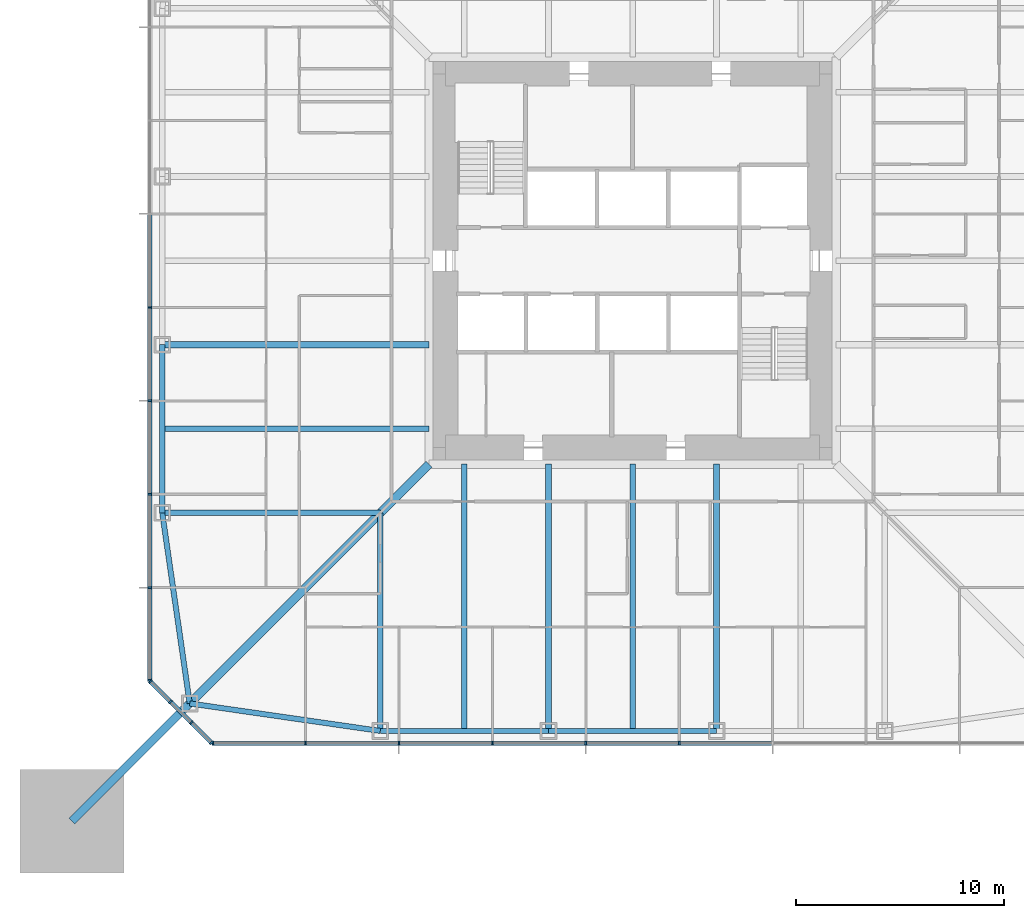
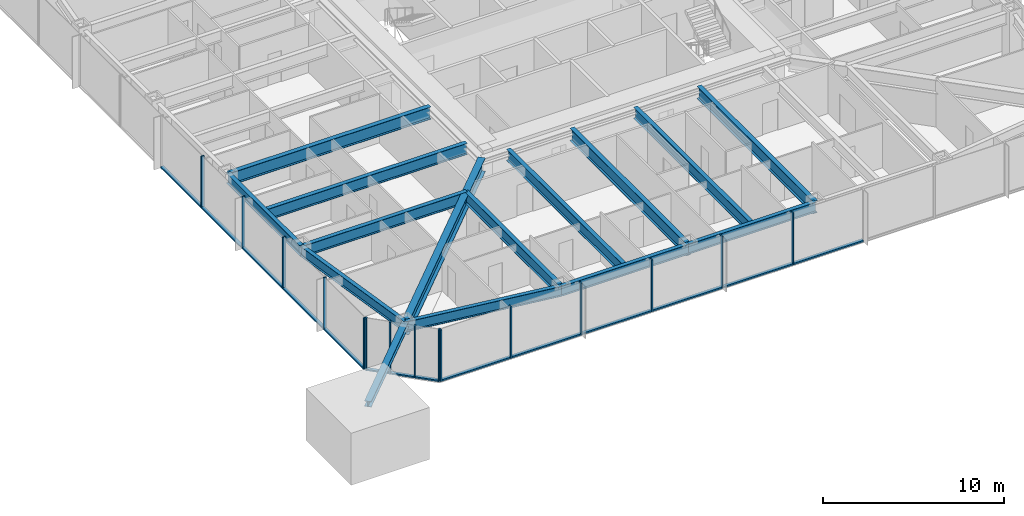
# One storey, part 3 of 26: 30 members, 14 beams, 3 elements without a shape of their own.
"""IFC4 building model written with IfcOpenShell, lengths in metres."""

from ifc_helpers import new_model, si_unit, direction, frame, origin, origin_2d, place, context, subcontext, project, spatial, rectangle, i_section, extrude, material, material_profile, profile_set, type_object, element, aggregate, save


model = new_model("IFC4")

# Units and contexts
model_context = context("Model", 3, precision=1e-05, world=origin(), true_north=direction((0.0, 1.0)))
body_context = subcontext(model_context, "Body", "Model", "MODEL_VIEW")
ifc_project = project(units=[si_unit("LENGTHUNIT", "METRE"), si_unit("AREAUNIT", "SQUARE_METRE"), si_unit("VOLUMEUNIT", "CUBIC_METRE"), si_unit("PLANEANGLEUNIT", "RADIAN"), si_unit("MASSUNIT", "GRAM", prefix="KILO")], contexts=[model_context])

# Site, building, storey
site_placement = place(None, origin())
site = spatial("IfcSite", under=ifc_project, at=site_placement, CompositionType="ELEMENT")
building_placement = place(site_placement, origin())
building = spatial("IfcBuilding", under=site, at=building_placement, Name="Iwan Alto Co-Living Towers", CompositionType="ELEMENT")
storey_placement = place(building_placement, frame((0.0, 0.0, 39.5)))
storey = spatial("IfcBuildingStorey", under=building, at=storey_placement, Name="L10", CompositionType="ELEMENT", Elevation=39.5)

# Curtain wall, members
ifc_material_1 = material(Name="Bronze aluminium unitised frame", Category="aluminium")
curtain_wall_type_1 = type_object("IfcCurtainWallType", Name="CURTAIN WALL CW-A", PredefinedType="NOTDEFINED", material=ifc_material_1)
curtain_wall_1_placement = place(storey_placement, origin())
curtain_wall_1 = element("IfcCurtainWall", 1, at=curtain_wall_1_placement, inside=storey, type_object=curtain_wall_type_1, Name="T1 curtain wall S L10", PredefinedType="NOTDEFINED")
ifc_material_2 = material(Name="Aluminium 6063-T6 bronze anodised", Category="aluminium")
ifc_material_profile_1 = material_profile(ifc_material_2, rectangle(XDim=0.199951171875, YDim=0.080078125, at=origin_2d()), Name="AL 80X200")
ifc_profile_set_1 = profile_set([ifc_material_profile_1], Name="Aluminium 6063-T6 bronze anodised")
member_type_1 = type_object("IfcMemberType", Name="CW-A MULLION 80X200", PredefinedType="MULLION", material=ifc_profile_set_1)
member_1_placement = place(storey_placement, frame((-20.2099609375, -23.25, 0.0), z_axis=(0.0, 0.0, 1.0), x_axis=(0.0, 1.0, 0.0)))
member_1 = element("IfcMember", 2, at=member_1_placement, type_object=member_type_1, Name="CW-A mullion 1", PredefinedType="MULLION", context=body_context, shape_type="SweptSolid", body=[
    extrude(rectangle(XDim=0.199951171875, YDim=0.080078125, at=origin_2d()), origin(), (0.0, 0.0, 1.0), 3.5),
])
member_2_placement = place(storey_placement, frame((-15.75, -23.25, 0.0), z_axis=(0.0, 0.0, 1.0), x_axis=(0.0, 1.0, 0.0)))
member_2 = element("IfcMember", 3, at=member_2_placement, type_object=member_type_1, Name="CW-A mullion 2", PredefinedType="MULLION", context=body_context, shape_type="SweptSolid", body=[
    extrude(rectangle(XDim=0.199951171875, YDim=0.080078125, at=origin_2d()), origin(), (0.0, 0.0, 1.0), 3.5),
])
member_3_placement = place(storey_placement, frame((-11.25, -23.25, 0.0), z_axis=(0.0, 0.0, 1.0), x_axis=(0.0, 1.0, 0.0)))
member_3 = element("IfcMember", 4, at=member_3_placement, type_object=member_type_1, Name="CW-A mullion 3", PredefinedType="MULLION", context=body_context, shape_type="SweptSolid", body=[
    extrude(rectangle(XDim=0.199951171875, YDim=0.080078125, at=origin_2d()), origin(), (0.0, 0.0, 1.0), 3.5),
])
member_4_placement = place(storey_placement, frame((-6.75, -23.25, 0.0), z_axis=(0.0, 0.0, 1.0), x_axis=(0.0, 1.0, 0.0)))
member_4 = element("IfcMember", 5, at=member_4_placement, type_object=member_type_1, Name="CW-A mullion 4", PredefinedType="MULLION", context=body_context, shape_type="SweptSolid", body=[
    extrude(rectangle(XDim=0.199951171875, YDim=0.080078125, at=origin_2d()), origin(), (0.0, 0.0, 1.0), 3.5),
])
member_5_placement = place(storey_placement, frame((-2.25, -23.25, 0.0), z_axis=(0.0, 0.0, 1.0), x_axis=(0.0, 1.0, 0.0)))
member_5 = element("IfcMember", 6, at=member_5_placement, type_object=member_type_1, Name="CW-A mullion 5", PredefinedType="MULLION", context=body_context, shape_type="SweptSolid", body=[
    extrude(rectangle(XDim=0.199951171875, YDim=0.080078125, at=origin_2d()), origin(), (0.0, 0.0, 1.0), 3.5),
])
member_6_placement = place(storey_placement, frame((2.25, -23.25, 0.0), z_axis=(0.0, 0.0, 1.0), x_axis=(0.0, 1.0, 0.0)))
member_6 = element("IfcMember", 7, at=member_6_placement, type_object=member_type_1, Name="CW-A mullion 6", PredefinedType="MULLION", context=body_context, shape_type="SweptSolid", body=[
    extrude(rectangle(XDim=0.199951171875, YDim=0.080078125, at=origin_2d()), origin(), (0.0, 0.0, 1.0), 3.5),
])

curtain_wall_2_placement = place(storey_placement, origin())
curtain_wall_2 = element("IfcCurtainWall", 8, at=curtain_wall_2_placement, inside=storey, type_object=curtain_wall_type_1, Name="T1 curtain wall W L10", PredefinedType="NOTDEFINED")
member_7_placement = place(storey_placement, frame((-23.25, -2.25, 0.0), z_axis=(0.0, 0.0, 1.0), x_axis=(1.0, 0.0, 0.0)))
member_7 = element("IfcMember", 9, at=member_7_placement, type_object=member_type_1, Name="CW-A mullion 6", PredefinedType="MULLION", context=body_context, shape_type="SweptSolid", body=[
    extrude(rectangle(XDim=0.199951171875, YDim=0.080078125, at=origin_2d()), origin(), (0.0, 0.0, 1.0), 3.5),
])
member_8_placement = place(storey_placement, frame((-23.25, -6.75, 0.0), z_axis=(0.0, 0.0, 1.0), x_axis=(1.0, 0.0, 0.0)))
member_8 = element("IfcMember", 10, at=member_8_placement, type_object=member_type_1, Name="CW-A mullion 7", PredefinedType="MULLION", context=body_context, shape_type="SweptSolid", body=[
    extrude(rectangle(XDim=0.199951171875, YDim=0.080078125, at=origin_2d()), origin(), (0.0, 0.0, 1.0), 3.5),
])
member_9_placement = place(storey_placement, frame((-23.25, -11.25, 0.0), z_axis=(0.0, 0.0, 1.0), x_axis=(1.0, 0.0, 0.0)))
member_9 = element("IfcMember", 11, at=member_9_placement, type_object=member_type_1, Name="CW-A mullion 8", PredefinedType="MULLION", context=body_context, shape_type="SweptSolid", body=[
    extrude(rectangle(XDim=0.199951171875, YDim=0.080078125, at=origin_2d()), origin(), (0.0, 0.0, 1.0), 3.5),
])
member_10_placement = place(storey_placement, frame((-23.25, -15.75, 0.0), z_axis=(0.0, 0.0, 1.0), x_axis=(1.0, 0.0, 0.0)))
member_10 = element("IfcMember", 12, at=member_10_placement, type_object=member_type_1, Name="CW-A mullion 9", PredefinedType="MULLION", context=body_context, shape_type="SweptSolid", body=[
    extrude(rectangle(XDim=0.199951171875, YDim=0.080078125, at=origin_2d()), origin(), (0.0, 0.0, 1.0), 3.5),
])
member_11_placement = place(storey_placement, frame((-23.25, -20.2099609375, 0.0), z_axis=(0.0, 0.0, 1.0), x_axis=(1.0, 0.0, 0.0)))
member_11 = element("IfcMember", 13, at=member_11_placement, type_object=member_type_1, Name="CW-A mullion 10", PredefinedType="MULLION", context=body_context, shape_type="SweptSolid", body=[
    extrude(rectangle(XDim=0.199951171875, YDim=0.080078125, at=origin_2d()), origin(), (0.0, 0.0, 1.0), 3.5),
])

# Member
ifc_material_3 = material(Name="Aluminium 6063-T6 bronze anodised", Category="aluminium")
ifc_material_profile_2 = material_profile(ifc_material_3, rectangle(XDim=0.199951171875, YDim=0.10009765625, at=origin_2d()), Name="AL 200X100")
ifc_profile_set_2 = profile_set([ifc_material_profile_2], Name="Aluminium 6063-T6 bronze anodised")
member_type_2 = type_object("IfcMemberType", Name="CW-A TRANSOM 200X100", PredefinedType="USERDEFINED", material=ifc_profile_set_2)
member_12_placement = place(storey_placement, frame((-20.169921875, -23.25, 0.050048828125), z_axis=(1.0, 0.0, 0.0), x_axis=(0.0, 1.0, 0.0)))
member_12 = element("IfcMember", 14, at=member_12_placement, type_object=member_type_2, Name="CW-A transom 1.1", ObjectType="TRANSOM", PredefinedType="USERDEFINED", context=body_context, shape_type="SweptSolid", body=[
    extrude(rectangle(XDim=0.199951171875, YDim=0.10009765625, at=origin_2d()), origin(), (0.0, 0.0, 1.0), 4.3798828125),
])

member_13_placement = place(storey_placement, frame((-15.7099609375, -23.25, 0.050048828125), z_axis=(1.0, 0.0, 0.0), x_axis=(0.0, 1.0, 0.0)))
member_13 = element("IfcMember", 15, at=member_13_placement, type_object=member_type_2, Name="CW-A transom 2.1", ObjectType="TRANSOM", PredefinedType="USERDEFINED", context=body_context, shape_type="SweptSolid", body=[
    extrude(rectangle(XDim=0.199951171875, YDim=0.10009765625, at=origin_2d()), origin(), (0.0, 0.0, 1.0), 4.419921875),
])

member_14_placement = place(storey_placement, frame((-11.2099609375, -23.25, 0.050048828125), z_axis=(1.0, 0.0, 0.0), x_axis=(0.0, 1.0, 0.0)))
member_14 = element("IfcMember", 16, at=member_14_placement, type_object=member_type_2, Name="CW-A transom 3.1", ObjectType="TRANSOM", PredefinedType="USERDEFINED", context=body_context, shape_type="SweptSolid", body=[
    extrude(rectangle(XDim=0.199951171875, YDim=0.10009765625, at=origin_2d()), origin(), (0.0, 0.0, 1.0), 4.419921875),
])

member_15_placement = place(storey_placement, frame((-6.7099609375, -23.25, 0.050048828125), z_axis=(1.0, 0.0, 0.0), x_axis=(0.0, 1.0, 0.0)))
member_15 = element("IfcMember", 17, at=member_15_placement, type_object=member_type_2, Name="CW-A transom 4.1", ObjectType="TRANSOM", PredefinedType="USERDEFINED", context=body_context, shape_type="SweptSolid", body=[
    extrude(rectangle(XDim=0.199951171875, YDim=0.10009765625, at=origin_2d()), origin(), (0.0, 0.0, 1.0), 4.419921875),
])

member_16_placement = place(storey_placement, frame((-2.2099609375, -23.25, 0.050048828125), z_axis=(1.0, 0.0, 0.0), x_axis=(0.0, 1.0, 0.0)))
member_16 = element("IfcMember", 18, at=member_16_placement, type_object=member_type_2, Name="CW-A transom 5.1", ObjectType="TRANSOM", PredefinedType="USERDEFINED", context=body_context, shape_type="SweptSolid", body=[
    extrude(rectangle(XDim=0.199951171875, YDim=0.10009765625, at=origin_2d()), origin(), (0.0, 0.0, 1.0), 4.419921875),
])

member_17_placement = place(storey_placement, frame((2.2900390625, -23.25, 0.050048828125), z_axis=(1.0, 0.0, 0.0), x_axis=(0.0, 1.0, 0.0)))
member_17 = element("IfcMember", 19, at=member_17_placement, type_object=member_type_2, Name="CW-A transom 6.1", ObjectType="TRANSOM", PredefinedType="USERDEFINED", context=body_context, shape_type="SweptSolid", body=[
    extrude(rectangle(XDim=0.199951171875, YDim=0.10009765625, at=origin_2d()), origin(), (0.0, 0.0, 1.0), 4.419921875),
])

aggregate(curtain_wall_1, [member_1, member_2, member_3, member_4, member_5, member_6, member_12, member_13, member_14, member_15, member_16, member_17])

member_18_placement = place(storey_placement, frame((-23.25, 2.2099609375, 0.050048828125), z_axis=(0.0, -1.0, 0.0), x_axis=(1.0, 0.0, 0.0)))
member_18 = element("IfcMember", 20, at=member_18_placement, type_object=member_type_2, Name="CW-A transom 5.1", ObjectType="TRANSOM", PredefinedType="USERDEFINED", context=body_context, shape_type="SweptSolid", body=[
    extrude(rectangle(XDim=0.199951171875, YDim=0.10009765625, at=origin_2d()), origin(), (0.0, 0.0, 1.0), 4.419921875),
])

member_19_placement = place(storey_placement, frame((-23.25, -2.2900390625, 0.050048828125), z_axis=(0.0, -1.0, 0.0), x_axis=(1.0, 0.0, 0.0)))
member_19 = element("IfcMember", 21, at=member_19_placement, type_object=member_type_2, Name="CW-A transom 6.1", ObjectType="TRANSOM", PredefinedType="USERDEFINED", context=body_context, shape_type="SweptSolid", body=[
    extrude(rectangle(XDim=0.199951171875, YDim=0.10009765625, at=origin_2d()), origin(), (0.0, 0.0, 1.0), 4.419921875),
])

member_20_placement = place(storey_placement, frame((-23.25, -6.7900390625, 0.050048828125), z_axis=(0.0, -1.0, 0.0), x_axis=(1.0, 0.0, 0.0)))
member_20 = element("IfcMember", 22, at=member_20_placement, type_object=member_type_2, Name="CW-A transom 7.1", ObjectType="TRANSOM", PredefinedType="USERDEFINED", context=body_context, shape_type="SweptSolid", body=[
    extrude(rectangle(XDim=0.199951171875, YDim=0.10009765625, at=origin_2d()), origin(), (0.0, 0.0, 1.0), 4.419921875),
])

member_21_placement = place(storey_placement, frame((-23.25, -11.2900390625, 0.050048828125), z_axis=(0.0, -1.0, 0.0), x_axis=(1.0, 0.0, 0.0)))
member_21 = element("IfcMember", 23, at=member_21_placement, type_object=member_type_2, Name="CW-A transom 8.1", ObjectType="TRANSOM", PredefinedType="USERDEFINED", context=body_context, shape_type="SweptSolid", body=[
    extrude(rectangle(XDim=0.199951171875, YDim=0.10009765625, at=origin_2d()), origin(), (0.0, 0.0, 1.0), 4.419921875),
])

member_22_placement = place(storey_placement, frame((-23.25, -15.7900390625, 0.050048828125), z_axis=(0.0, -1.0, 0.0), x_axis=(1.0, 0.0, 0.0)))
member_22 = element("IfcMember", 24, at=member_22_placement, type_object=member_type_2, Name="CW-A transom 9.1", ObjectType="TRANSOM", PredefinedType="USERDEFINED", context=body_context, shape_type="SweptSolid", body=[
    extrude(rectangle(XDim=0.199951171875, YDim=0.10009765625, at=origin_2d()), origin(), (0.0, 0.0, 1.0), 4.3798828125),
])

aggregate(curtain_wall_2, [member_7, member_8, member_9, member_10, member_11, member_18, member_19, member_20, member_21, member_22])

# Curtain wall, members
ifc_material_4 = material(Name="Bronze aluminium unitised frame", Category="aluminium")
curtain_wall_type_2 = type_object("IfcCurtainWallType", Name="CURTAIN WALL CW-B", PredefinedType="NOTDEFINED", material=ifc_material_4)
curtain_wall_3_placement = place(storey_placement, origin())
curtain_wall_3 = element("IfcCurtainWall", 25, at=curtain_wall_3_placement, inside=storey, type_object=curtain_wall_type_2, Name="T1 chamfer curtain wall SW L10", PredefinedType="NOTDEFINED")
ifc_material_5 = material(Name="Aluminium 6063-T6 bronze anodised", Category="aluminium")
ifc_material_profile_3 = material_profile(ifc_material_5, rectangle(XDim=0.199951171875, YDim=0.080078125, at=origin_2d()), Name="AL 80X200")
ifc_profile_set_3 = profile_set([ifc_material_profile_3], Name="Aluminium 6063-T6 bronze anodised")
member_type_3 = type_object("IfcMemberType", Name="CW-B MULLION 80X200", PredefinedType="MULLION", material=ifc_profile_set_3)
member_23_placement = place(storey_placement, frame((-23.2216796875, -20.2783203125, 0.0), z_axis=(0.0, 0.0, 1.0), x_axis=(0.707106781187, 0.707106781187, 0.0)))
member_23 = element("IfcMember", 26, at=member_23_placement, type_object=member_type_3, Name="CW-B mullion 1", PredefinedType="MULLION", context=body_context, shape_type="SweptSolid", body=[
    extrude(rectangle(XDim=0.199951171875, YDim=0.080078125, at=origin_2d()), origin(), (0.0, 0.0, 1.0), 3.5),
])
member_24_placement = place(storey_placement, frame((-22.25, -21.25, 0.0), z_axis=(0.0, 0.0, 1.0), x_axis=(0.707106781187, 0.707106781187, 0.0)))
member_24 = element("IfcMember", 27, at=member_24_placement, type_object=member_type_3, Name="CW-B mullion 2", PredefinedType="MULLION", context=body_context, shape_type="SweptSolid", body=[
    extrude(rectangle(XDim=0.199951171875, YDim=0.080078125, at=origin_2d()), origin(), (0.0, 0.0, 1.0), 3.5),
])
member_25_placement = place(storey_placement, frame((-21.25, -22.25, 0.0), z_axis=(0.0, 0.0, 1.0), x_axis=(0.707106781187, 0.707106781187, 0.0)))
member_25 = element("IfcMember", 28, at=member_25_placement, type_object=member_type_3, Name="CW-B mullion 3", PredefinedType="MULLION", context=body_context, shape_type="SweptSolid", body=[
    extrude(rectangle(XDim=0.199951171875, YDim=0.080078125, at=origin_2d()), origin(), (0.0, 0.0, 1.0), 3.5),
])
member_26_placement = place(storey_placement, frame((-20.2783203125, -23.2216796875, 0.0), z_axis=(0.0, 0.0, 1.0), x_axis=(0.707106781187, 0.707106781187, 0.0)))
member_26 = element("IfcMember", 29, at=member_26_placement, type_object=member_type_3, Name="CW-B mullion 4", PredefinedType="MULLION", context=body_context, shape_type="SweptSolid", body=[
    extrude(rectangle(XDim=0.199951171875, YDim=0.080078125, at=origin_2d()), origin(), (0.0, 0.0, 1.0), 3.5),
])
ifc_material_6 = material(Name="Aluminium 6063-T6 bronze anodised", Category="aluminium")
ifc_material_profile_4 = material_profile(ifc_material_6, rectangle(XDim=0.199951171875, YDim=0.10009765625, at=origin_2d()), Name="AL 200X100")
ifc_profile_set_4 = profile_set([ifc_material_profile_4], Name="Aluminium 6063-T6 bronze anodised")
member_type_4 = type_object("IfcMemberType", Name="CW-B TRANSOM 200X100", PredefinedType="USERDEFINED", material=ifc_profile_set_4)
member_27_placement = place(storey_placement, frame((-23.193359375, -20.306640625, 0.050048828125), z_axis=(0.707106781187, -0.707106781187, 0.0), x_axis=(0.707106781187, 0.707106781187, 0.0)))
member_27 = element("IfcMember", 30, at=member_27_placement, type_object=member_type_4, Name="CW-B transom 1.1", ObjectType="TRANSOM", PredefinedType="USERDEFINED", context=body_context, shape_type="SweptSolid", body=[
    extrude(rectangle(XDim=0.199951171875, YDim=0.10009765625, at=origin_2d()), origin(), (0.0, 0.0, 1.0), 1.2939453125),
])
member_28_placement = place(storey_placement, frame((-22.2216796875, -21.2783203125, 0.050048828125), z_axis=(0.707106781187, -0.707106781187, 0.0), x_axis=(0.707106781187, 0.707106781187, 0.0)))
member_28 = element("IfcMember", 31, at=member_28_placement, type_object=member_type_4, Name="CW-B transom 2.1", ObjectType="TRANSOM", PredefinedType="USERDEFINED", context=body_context, shape_type="SweptSolid", body=[
    extrude(rectangle(XDim=0.199951171875, YDim=0.10009765625, at=origin_2d()), origin(), (0.0, 0.0, 1.0), 1.334228515625),
])
member_29_placement = place(storey_placement, frame((-21.2216796875, -22.2783203125, 0.050048828125), z_axis=(0.707106781187, -0.707106781187, 0.0), x_axis=(0.707106781187, 0.707106781187, 0.0)))
member_29 = element("IfcMember", 32, at=member_29_placement, type_object=member_type_4, Name="CW-B transom 3.1", ObjectType="TRANSOM", PredefinedType="USERDEFINED", context=body_context, shape_type="SweptSolid", body=[
    extrude(rectangle(XDim=0.199951171875, YDim=0.10009765625, at=origin_2d()), origin(), (0.0, 0.0, 1.0), 1.2939453125),
])
aggregate(curtain_wall_3, [member_23, member_24, member_25, member_26, member_27, member_28, member_29])

# Beams
ifc_material_7 = material(Name="Steel ASTM A992 Gr 50", Category="steel")
ifc_material_profile_5 = material_profile(ifc_material_7, i_section(OverallWidth=0.419189453125, OverallDepth=0.927001953125, WebThickness=0.019287109375, FlangeThickness=0.031982421875, at=origin_2d()), Name="W36X231")
ifc_profile_set_5 = profile_set([ifc_material_profile_5], Name="Steel ASTM A992 Gr 50")
beam_type_1 = type_object("IfcBeamType", Name="T1 CORNER GIRDER W36X231", PredefinedType="BEAM", material=ifc_profile_set_5)
beam_1_placement = place(storey_placement, frame((-21.32568359375, -21.32568359375, 2.806396484375), z_axis=(0.707106781187, 0.707106781187, 0.0), x_axis=(-0.707106781187, 0.707106781187, 0.0)))
element("IfcBeam", 33, at=beam_1_placement, inside=storey, type_object=beam_type_1, Name="T1 corner girder CSW L11", PredefinedType="BEAM", context=body_context, shape_type="SweptSolid", body=[
    extrude(i_section(OverallWidth=0.419189453125, OverallDepth=0.927001953125, WebThickness=0.019287109375, FlangeThickness=0.031982421875, at=origin_2d()), origin(), (0.0, 0.0, 1.0), 16.296875),
])
ifc_material_8 = material(Name="Steel ASTM A992 Gr 50", Category="steel")
ifc_material_profile_6 = material_profile(ifc_material_8, i_section(OverallWidth=0.25390625, OverallDepth=0.683349609375, WebThickness=0.012451171875, FlangeThickness=0.018798828125, at=origin_2d()), Name="W27X94")
ifc_profile_set_6 = profile_set([ifc_material_profile_6], Name="Steel ASTM A992 Gr 50")
beam_type_2 = type_object("IfcBeamType", Name="T1 EDGE BEAM W27X94", PredefinedType="BEAM", material=ifc_profile_set_6)
beam_2_placement = place(storey_placement, frame((-21.32568359375, -21.32568359375, 2.928466796875), z_axis=(0.989746234347, -0.142836940589, 0.0), x_axis=(0.142836940589, 0.989746234347, 0.0)))
element("IfcBeam", 34, at=beam_2_placement, inside=storey, type_object=beam_type_2, Name="T1 edge beam CSW L11", PredefinedType="BEAM", context=body_context, shape_type="SweptSolid", body=[
    extrude(i_section(OverallWidth=0.25390625, OverallDepth=0.683349609375, WebThickness=0.012451171875, FlangeThickness=0.018798828125, at=origin_2d()), origin(), (0.0, 0.0, 1.0), 9.270751953125),
])
beam_3_placement = place(storey_placement, frame((-12.14990234375, -22.64990234375, 2.928466796875), z_axis=(1.0, 0.0, 0.0), x_axis=(0.0, 1.0, 0.0)))
element("IfcBeam", 35, at=beam_3_placement, inside=storey, type_object=beam_type_2, Name="T1 edge beam S1 L11", PredefinedType="BEAM", context=body_context, shape_type="SweptSolid", body=[
    extrude(i_section(OverallWidth=0.25390625, OverallDepth=0.683349609375, WebThickness=0.012451171875, FlangeThickness=0.018798828125, at=origin_2d()), origin(), (0.0, 0.0, 1.0), 8.099853515625),
])
beam_4_placement = place(storey_placement, frame((-4.050048828125, -22.64990234375, 2.928466796875), z_axis=(1.0, 0.0, 0.0), x_axis=(0.0, 1.0, 0.0)))
element("IfcBeam", 36, at=beam_4_placement, inside=storey, type_object=beam_type_2, Name="T1 edge beam S2 L11", PredefinedType="BEAM", context=body_context, shape_type="SweptSolid", body=[
    extrude(i_section(OverallWidth=0.25390625, OverallDepth=0.683349609375, WebThickness=0.012451171875, FlangeThickness=0.018798828125, at=origin_2d()), origin(), (0.0, 0.0, 1.0), 8.10009765625),
])
beam_5_placement = place(storey_placement, frame((-22.64990234375, -4.050048828125, 2.928466796875), z_axis=(0.0, -1.0, 0.0), x_axis=(1.0, 0.0, 0.0)))
element("IfcBeam", 37, at=beam_5_placement, inside=storey, type_object=beam_type_2, Name="T1 edge beam W3 L11", PredefinedType="BEAM", context=body_context, shape_type="SweptSolid", body=[
    extrude(i_section(OverallWidth=0.25390625, OverallDepth=0.683349609375, WebThickness=0.012451171875, FlangeThickness=0.018798828125, at=origin_2d()), origin(), (0.0, 0.0, 1.0), 8.099853515625),
])
beam_6_placement = place(storey_placement, frame((-22.64990234375, -12.14990234375, 2.928466796875), z_axis=(0.142836940589, -0.989746234347, 0.0), x_axis=(0.989746234347, 0.142836940589, 0.0)))
element("IfcBeam", 38, at=beam_6_placement, inside=storey, type_object=beam_type_2, Name="T1 edge beam W4 L11", PredefinedType="BEAM", context=body_context, shape_type="SweptSolid", body=[
    extrude(i_section(OverallWidth=0.25390625, OverallDepth=0.683349609375, WebThickness=0.012451171875, FlangeThickness=0.018798828125, at=origin_2d()), origin(), (0.0, 0.0, 1.0), 9.270751953125),
])

# Member
ifc_material_9 = material(Name="Steel ASTM A992 Gr 50", Category="steel")
ifc_material_profile_7 = material_profile(ifc_material_9, i_section(OverallWidth=0.393798828125, OverallDepth=0.3759765625, WebThickness=0.017333984375, FlangeThickness=0.027587890625, at=origin_2d()), Name="W14X145")
ifc_profile_set_7 = profile_set([ifc_material_profile_7], Name="Steel ASTM A992 Gr 50")
member_type_5 = type_object("IfcMemberType", Name="T1 MEGA COLUMN FLOOR TIE W14X145", PredefinedType="STRUT", material=ifc_profile_set_7)
member_30_placement = place(storey_placement, frame((-27.0, -27.0, 3.08203125), z_axis=(0.707106781187, 0.707106781187, 0.0), x_axis=(-0.707106781187, 0.707106781187, 0.0)))
element("IfcMember", 39, at=member_30_placement, inside=storey, type_object=member_type_5, Name="T1 mega column floor tie SW L11", PredefinedType="STRUT", context=body_context, shape_type="SweptSolid", body=[
    extrude(i_section(OverallWidth=0.393798828125, OverallDepth=0.3759765625, WebThickness=0.017333984375, FlangeThickness=0.027587890625, at=origin_2d()), origin(), (0.0, 0.0, 1.0), 8.024658203125),
])

# Beams
ifc_material_10 = material(Name="Steel ASTM A992 Gr 50", Category="steel")
ifc_material_profile_8 = material_profile(ifc_material_10, i_section(OverallWidth=0.2666015625, OverallDepth=0.761962890625, WebThickness=0.014404296875, FlangeThickness=0.021484375, at=origin_2d()), Name="W30X116")
ifc_profile_set_8 = profile_set([ifc_material_profile_8], Name="Steel ASTM A992 Gr 50")
beam_type_3 = type_object("IfcBeamType", Name="T1 RADIAL BEAM W30X116", PredefinedType="BEAM", material=ifc_profile_set_8)
for number, where, z_axis, x_axis, name in (
    (40, (-12.14990234375, -22.64990234375, 2.888916015625), (0.0, 1.0, 0.0), (-1.0, 0.0, 0.0), "T1 radial beam S1 L11"),
    (41, (-22.64990234375, -12.14990234375, 2.888916015625), (1.0, 0.0, 0.0), (0.0, 1.0, 0.0), "T1 radial beam W4 L11"),
):
    element("IfcBeam", number, at=place(storey_placement, frame(where, z_axis=z_axis, x_axis=x_axis)), inside=storey, type_object=beam_type_3, Name=name, PredefinedType="BEAM", context=body_context, shape_type="SweptSolid", body=[
        extrude(i_section(OverallWidth=0.2666015625, OverallDepth=0.761962890625, WebThickness=0.014404296875, FlangeThickness=0.021484375, at=origin_2d()), origin(), (0.0, 0.0, 1.0), 10.5),
    ])
ifc_material_11 = material(Name="Steel ASTM A992 Gr 50", Category="steel")
ifc_material_profile_9 = material_profile(ifc_material_11, i_section(OverallWidth=0.2919921875, OverallDepth=0.8408203125, WebThickness=0.0146484375, FlangeThickness=0.021728515625, at=origin_2d()), Name="W33X130")
ifc_profile_set_9 = profile_set([ifc_material_profile_9], Name="Steel ASTM A992 Gr 50")
beam_type_4 = type_object("IfcBeamType", Name="T1 RADIAL BEAM W33X130", PredefinedType="BEAM", material=ifc_profile_set_9)
for number, where, z_axis, x_axis, name in (
    (42, (-4.050048828125, -22.64990234375, 2.849609375), (0.0, 1.0, 0.0), (-1.0, 0.0, 0.0), "T1 radial beam S2 L11"),
    (43, (4.050048828125, -22.64990234375, 2.849609375), (0.0, 1.0, 0.0), (-1.0, 0.0, 0.0), "T1 radial beam S3 L11"),
    (44, (-22.64990234375, -4.050048828125, 2.849609375), (1.0, 0.0, 0.0), (0.0, 1.0, 0.0), "T1 radial beam W3 L11"),
):
    element("IfcBeam", number, at=place(storey_placement, frame(where, z_axis=z_axis, x_axis=x_axis)), inside=storey, type_object=beam_type_4, Name=name, PredefinedType="BEAM", context=body_context, shape_type="SweptSolid", body=[
        extrude(i_section(OverallWidth=0.2919921875, OverallDepth=0.8408203125, WebThickness=0.0146484375, FlangeThickness=0.021728515625, at=origin_2d()), origin(), (0.0, 0.0, 1.0), 12.847900390625),
    ])
ifc_material_12 = material(Name="Steel ASTM A992 Gr 50", Category="steel")
ifc_material_profile_10 = material_profile(ifc_material_12, i_section(OverallWidth=0.2666015625, OverallDepth=0.761962890625, WebThickness=0.014404296875, FlangeThickness=0.021484375, at=origin_2d()), Name="W30X116")
ifc_profile_set_10 = profile_set([ifc_material_profile_10], Name="Steel ASTM A992 Gr 50")
beam_type_5 = type_object("IfcBeamType", Name="T1 SECONDARY BEAM W30X116", PredefinedType="JOIST", material=ifc_profile_set_10)
for number, where, z_axis, x_axis, name in (
    (45, (-8.10009765625, -22.64990234375, 2.888916015625), (0.0, 1.0, 0.0), (-1.0, 0.0, 0.0), "T1 secondary beam S1 L11"),
    (46, (0.0, -22.64990234375, 2.888916015625), (0.0, 1.0, 0.0), (-1.0, 0.0, 0.0), "T1 secondary beam S2 L11"),
    (47, (-22.64990234375, -8.10009765625, 2.888916015625), (1.0, 0.0, 0.0), (0.0, 1.0, 0.0), "T1 secondary beam W3 L11"),
):
    element("IfcBeam", number, at=place(storey_placement, frame(where, z_axis=z_axis, x_axis=x_axis)), inside=storey, type_object=beam_type_5, Name=name, PredefinedType="JOIST", context=body_context, shape_type="SweptSolid", body=[
        extrude(i_section(OverallWidth=0.2666015625, OverallDepth=0.761962890625, WebThickness=0.014404296875, FlangeThickness=0.021484375, at=origin_2d()), origin(), (0.0, 0.0, 1.0), 12.847900390625),
    ])

save(model, "model.ifc")
